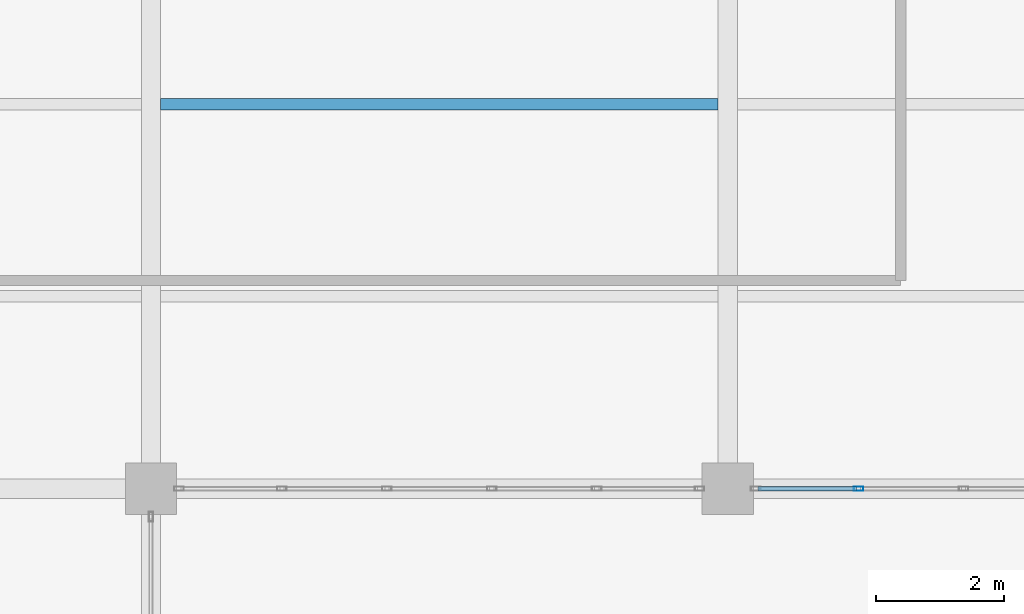
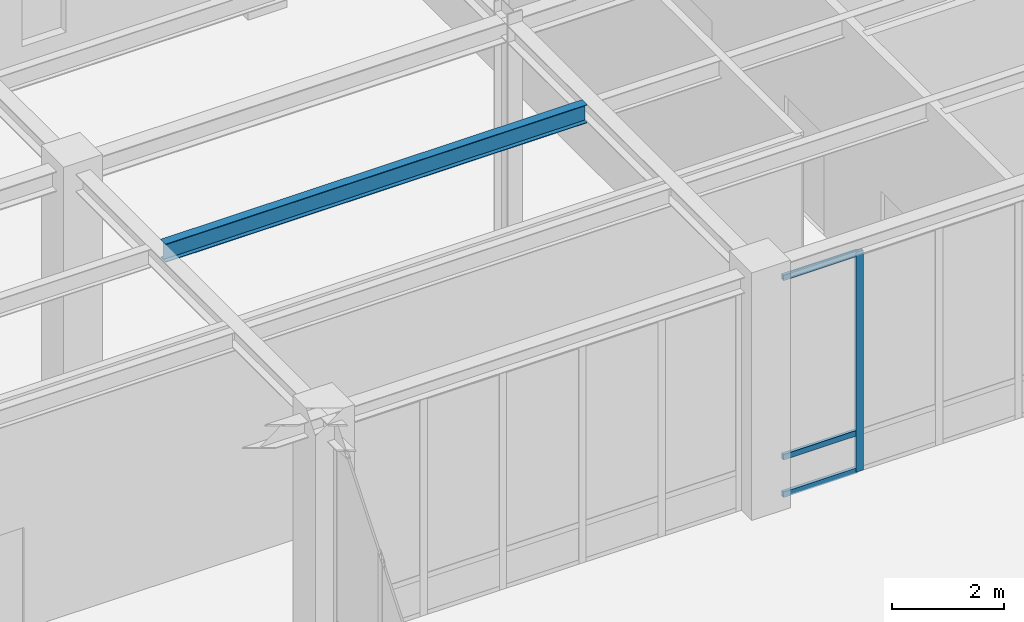
# One storey, part 49 of 77: 4 members, 1 beam, 1 element without a shape of its own.
"""IFC4 building model written with IfcOpenShell, lengths in metres."""

from ifc_helpers import new_model, si_unit, direction, frame, origin, origin_2d, place, context, subcontext, project, spatial, hollow_rectangle, i_section, extrude, material, material_profile, profile_set, type_object, element, aggregate, save


model = new_model("IFC4")

# Units and contexts
model_context = context("Model", 3, precision=1e-05, world=origin(), true_north=direction((0.0, 1.0)))
body_context = subcontext(model_context, "Body", "Model", "MODEL_VIEW")
ifc_project = project(units=[si_unit("LENGTHUNIT", "METRE"), si_unit("AREAUNIT", "SQUARE_METRE"), si_unit("VOLUMEUNIT", "CUBIC_METRE"), si_unit("PLANEANGLEUNIT", "RADIAN"), si_unit("MASSUNIT", "GRAM", prefix="KILO")], contexts=[model_context])

# Site, building, storey
site_placement = place(None, origin())
site = spatial("IfcSite", under=ifc_project, at=site_placement, CompositionType="ELEMENT")
building_placement = place(site_placement, origin())
building = spatial("IfcBuilding", under=site, at=building_placement, Name="Lykobir Media Centre", CompositionType="ELEMENT")
storey_placement = place(building_placement, origin())
storey = spatial("IfcBuildingStorey", under=building, at=storey_placement, Name="L00", CompositionType="ELEMENT", Elevation=0.0)

# Curtain wall, members
ifc_material_1 = material(Name="Anodized Aluminium AW-6060", Category="aluminium")
curtain_wall_type = type_object("IfcCurtainWallType", Name="CW-COURT-A", PredefinedType="NOTDEFINED", material=ifc_material_1)
curtain_wall_placement = place(storey_placement, origin())
curtain_wall = element("IfcCurtainWall", 1, at=curtain_wall_placement, inside=storey, type_object=curtain_wall_type, Name="Curtain wall CW2-L00-0009", PredefinedType="NOTDEFINED")
ifc_material_profile_1 = material_profile(ifc_material_1, hollow_rectangle(XDim=0.06494140625, YDim=0.14990234375, WallThickness=0.00341796875, at=origin_2d()), Name="ALU MULLION 65x150")
ifc_profile_set_1 = profile_set([ifc_material_profile_1], Name="Anodized Aluminium AW-6060")
member_type_1 = type_object("IfcMemberType", Name="CWM-150", PredefinedType="MULLION", material=ifc_profile_set_1)
member_1_placement = place(storey_placement, frame((119.04296875, 72.0, 0.0), z_axis=(0.0, 0.0, 1.0), x_axis=(0.0, -1.0, 0.0)))
member_1 = element("IfcMember", 2, at=member_1_placement, type_object=member_type_1, Name="CW2-L00-0009 mullion 5", PredefinedType="MULLION", context=body_context, shape_type="SweptSolid", body=[
    extrude(hollow_rectangle(XDim=0.06494140625, YDim=0.14990234375, WallThickness=0.00341796875, at=origin_2d()), origin(), (0.0, 0.0, 1.0), 4.794921875),
])
ifc_material_profile_2 = material_profile(ifc_material_1, hollow_rectangle(XDim=0.06494140625, YDim=0.1201171875, WallThickness=0.0029296875, at=origin_2d()), Name="ALU TRANSOM 65x120")
ifc_profile_set_2 = profile_set([ifc_material_profile_2], Name="Anodized Aluminium AW-6060")
member_type_2 = type_object("IfcMemberType", Name="CWT-120", PredefinedType="USERDEFINED", material=ifc_profile_set_2)
member_2_placement = place(storey_placement, frame((119.010498046875, 72.0, 0.032470703125), z_axis=(-1.0, 0.0, 0.0), x_axis=(0.0, -1.0, 0.0)))
member_2 = element("IfcMember", 3, at=member_2_placement, type_object=member_type_2, Name="CW2-L00-0009 transom 5.1", ObjectType="TRANSOM", PredefinedType="USERDEFINED", context=body_context, shape_type="SweptSolid", body=[
    extrude(hollow_rectangle(XDim=0.06494140625, YDim=0.1201171875, WallThickness=0.0029296875, at=origin_2d()), origin(), (0.0, 0.0, 1.0), 1.54052734375),
])
member_3_placement = place(storey_placement, frame((119.010498046875, 72.0, 0.85009765625), z_axis=(-1.0, 0.0, 0.0), x_axis=(0.0, -1.0, 0.0)))
member_3 = element("IfcMember", 4, at=member_3_placement, type_object=member_type_2, Name="CW2-L00-0009 transom 5.2", ObjectType="TRANSOM", PredefinedType="USERDEFINED", context=body_context, shape_type="SweptSolid", body=[
    extrude(hollow_rectangle(XDim=0.06494140625, YDim=0.1201171875, WallThickness=0.0029296875, at=origin_2d()), origin(), (0.0, 0.0, 1.0), 1.54052734375),
])
member_4_placement = place(storey_placement, frame((119.010498046875, 72.0, 4.762451171875), z_axis=(-1.0, 0.0, 0.0), x_axis=(0.0, -1.0, 0.0)))
member_4 = element("IfcMember", 5, at=member_4_placement, type_object=member_type_2, Name="CW2-L00-0009 transom 5.3", ObjectType="TRANSOM", PredefinedType="USERDEFINED", context=body_context, shape_type="SweptSolid", body=[
    extrude(hollow_rectangle(XDim=0.06494140625, YDim=0.1201171875, WallThickness=0.0029296875, at=origin_2d()), origin(), (0.0, 0.0, 1.0), 1.54052734375),
])
aggregate(curtain_wall, [member_1, member_2, member_3, member_4])

# Beam
ifc_material_2 = material(Name="Steel S355", Category="steel")
ifc_material_profile_3 = material_profile(ifc_material_2, i_section(OverallWidth=0.179931640625, OverallDepth=0.39990234375, WebThickness=0.008544921875, FlangeThickness=0.013427734375, at=origin_2d()), Name="IPE 400")
ifc_profile_set_3 = profile_set([ifc_material_profile_3], Name="Steel S355")
beam_type = type_object("IfcBeamType", Name="JS-IPE400", PredefinedType="JOIST", material=ifc_profile_set_3)
beam_placement = place(storey_placement, frame((108.14990234375, 78.0, 4.9599609375), z_axis=(1.0, 0.0, 0.0), x_axis=(0.0, 1.0, 0.0)))
element("IfcBeam", 6, at=beam_placement, inside=storey, type_object=beam_type, Name="Beam BM-L00-1082-0780-1168-0780-496", PredefinedType="JOIST", context=body_context, shape_type="SweptSolid", body=[
    extrude(i_section(OverallWidth=0.179931640625, OverallDepth=0.39990234375, WebThickness=0.008544921875, FlangeThickness=0.013427734375, at=origin_2d()), origin(), (0.0, 0.0, 1.0), 8.7001953125),
])

save(model, "model.ifc")
